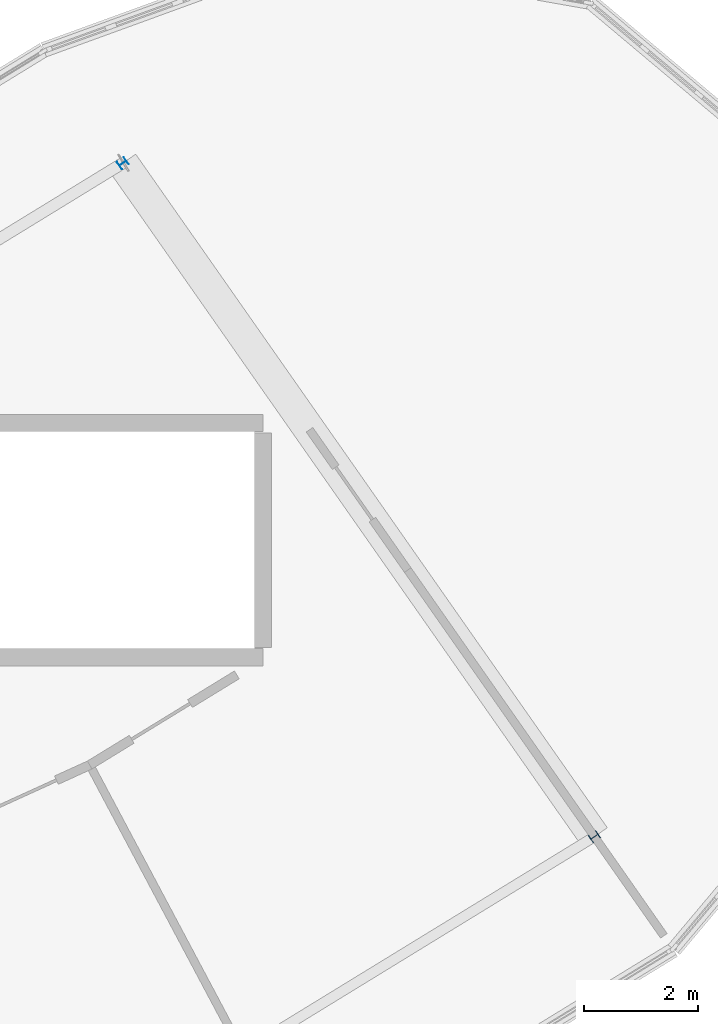
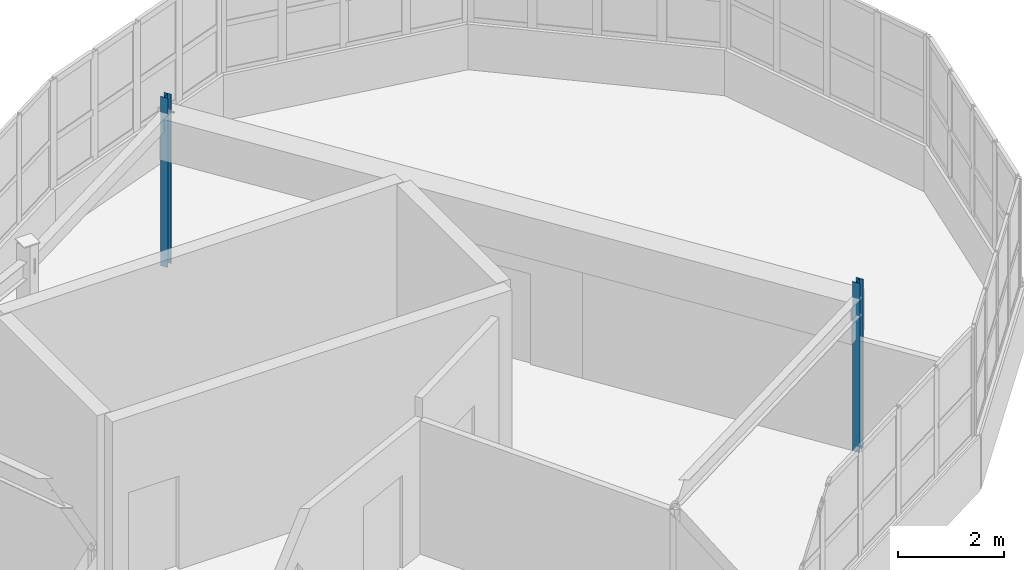
# One storey, part 7 of 79: 2 columns.
"""IFC4 building model written with IfcOpenShell, lengths in metres."""

from ifc_helpers import new_model, si_unit, direction, frame, origin, origin_2d, place, context, subcontext, project, spatial, i_section, extrude, material, material_profile, profile_set, type_object, element, save


model = new_model("IFC4")

# Units and contexts
model_context = context("Model", 3, precision=1e-05, world=origin(), true_north=direction((0.0, 1.0)))
body_context = subcontext(model_context, "Body", "Model", "MODEL_VIEW")
ifc_project = project(units=[si_unit("LENGTHUNIT", "METRE"), si_unit("AREAUNIT", "SQUARE_METRE"), si_unit("VOLUMEUNIT", "CUBIC_METRE"), si_unit("PLANEANGLEUNIT", "RADIAN"), si_unit("MASSUNIT", "GRAM", prefix="KILO")], contexts=[model_context])

# Site, building, storey
site_placement = place(None, origin())
site = spatial("IfcSite", under=ifc_project, at=site_placement, CompositionType="ELEMENT")
building_placement = place(site_placement, origin())
building = spatial("IfcBuilding", under=site, at=building_placement, Name="Tarnwether General Hospital", CompositionType="ELEMENT")
storey_placement = place(building_placement, frame((0.0, 0.0, 18.300048828125)))
storey = spatial("IfcBuildingStorey", under=building, at=storey_placement, Name="L04", CompositionType="ELEMENT", Elevation=18.300048828125)

# Columns
ifc_material_1 = material(Name="Steel Grade 350 (350 MPa)", Category="steel")
ifc_material_profile_1 = material_profile(ifc_material_1, i_section(OverallWidth=0.153076171875, OverallDepth=0.157958984375, WebThickness=0.006591796875, FlangeThickness=0.009521484375, at=origin_2d()), Name="150UC30.0")
ifc_profile_set_1 = profile_set([ifc_material_profile_1], Name="Steel Grade 350 (350 MPa)")
column_type_1 = type_object("IfcColumnType", Name="COL-31", PredefinedType="COLUMN", material=ifc_profile_set_1)
column_1_placement = place(storey_placement, frame((125.9560546875, 14.506103515625, 0.0), z_axis=(0.0, 0.0, 1.0), x_axis=(-0.573576436351, 0.819152044289, 0.0)))
element("IfcColumn", 1, at=column_1_placement, inside=storey, type_object=column_type_1, Name="Column COLG-L04-12596_1451", PredefinedType="COLUMN", context=body_context, shape_type="SweptSolid", body=[
    extrude(i_section(OverallWidth=0.153076171875, OverallDepth=0.157958984375, WebThickness=0.006591796875, FlangeThickness=0.009521484375, at=origin_2d()), origin(), (0.0, 0.0, 1.0), 3.89990234375),
])
ifc_material_2 = material(Name="Steel Grade 350 (350 MPa)", Category="steel")
ifc_material_profile_2 = material_profile(ifc_material_2, i_section(OverallWidth=0.152099609375, OverallDepth=0.152099609375, WebThickness=0.006103515625, FlangeThickness=0.0068359375, at=origin_2d()), Name="150UC23.4")
ifc_profile_set_2 = profile_set([ifc_material_profile_2], Name="Steel Grade 350 (350 MPa)")
column_type_2 = type_object("IfcColumnType", Name="COL-32", PredefinedType="COLUMN", material=ifc_profile_set_2)
column_2_placement = place(storey_placement, frame((117.696044921875, 26.302001953125, 0.0), z_axis=(0.0, 0.0, 1.0), x_axis=(-0.573576436351, 0.819152044289, 0.0)))
element("IfcColumn", 2, at=column_2_placement, inside=storey, type_object=column_type_2, Name="Column COLG-L04-11770_2630", PredefinedType="COLUMN", context=body_context, shape_type="SweptSolid", body=[
    extrude(i_section(OverallWidth=0.152099609375, OverallDepth=0.152099609375, WebThickness=0.006103515625, FlangeThickness=0.0068359375, at=origin_2d()), origin(), (0.0, 0.0, 1.0), 3.89990234375),
])

save(model, "model.ifc")
